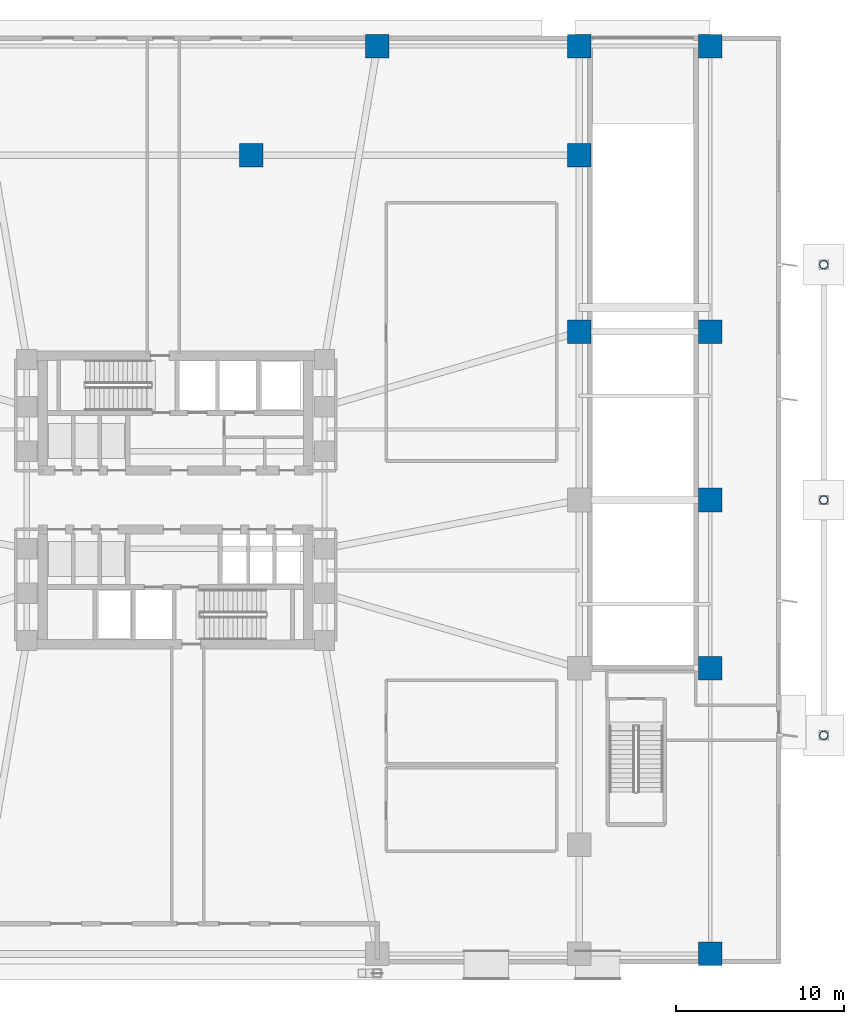
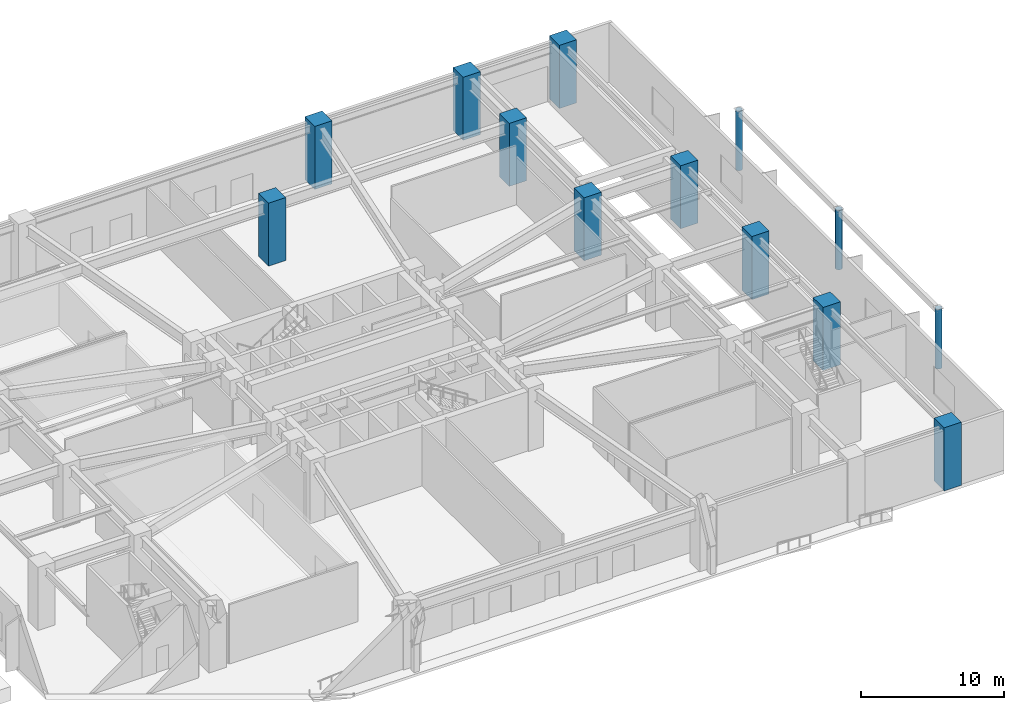
# One storey, part 5 of 20: 13 columns.
"""IFC4 building model written with IfcOpenShell, lengths in metres."""

from ifc_helpers import new_model, si_unit, direction, frame, origin, origin_2d, place, context, subcontext, project, spatial, rectangle, hollow_circle, extrude, material, material_profile, profile_set, type_object, element, save


model = new_model("IFC4")

# Units and contexts
model_context = context("Model", 3, precision=1e-05, world=origin(), true_north=direction((0.0, 1.0)))
body_context = subcontext(model_context, "Body", "Model", "MODEL_VIEW")
ifc_project = project(units=[si_unit("LENGTHUNIT", "METRE"), si_unit("AREAUNIT", "SQUARE_METRE"), si_unit("VOLUMEUNIT", "CUBIC_METRE"), si_unit("PLANEANGLEUNIT", "RADIAN"), si_unit("MASSUNIT", "GRAM", prefix="KILO")], contexts=[model_context])

# Site, building, storey
site_placement = place(None, origin())
site = spatial("IfcSite", under=ifc_project, at=site_placement, CompositionType="ELEMENT")
building_placement = place(site_placement, origin())
building = spatial("IfcBuilding", under=site, at=building_placement, Name="Solmarez Civic Tower", CompositionType="ELEMENT")
storey_placement = place(building_placement, origin())
storey = spatial("IfcBuildingStorey", under=building, at=storey_placement, Name="L00", CompositionType="ELEMENT", Elevation=0.0)

# Columns
ifc_material_1 = material(Name="Steel S355", Category="steel")
ifc_material_profile_1 = material_profile(ifc_material_1, hollow_circle(Radius=0.25390625, WallThickness=0.02001953125, at=origin_2d()), Name="CHS508X20")
ifc_profile_set_1 = profile_set([ifc_material_profile_1], Name="Steel S355")
column_type_1 = type_object("IfcColumnType", Name="COL-CHS508", PredefinedType="COLUMN", material=ifc_profile_set_1)
for number, where, z_axis, x_axis, name in (
    (1, (38.550048828125, -14.0, -0.300048828125), (0.0, 0.0, 1.0), (1.0, 0.0, 0.0), "L00 Plaza Canopy Column PF-E1"),
    (2, (38.550048828125, 0.0, -0.300048828125), (0.0, 0.0, 1.0), (1.0, 0.0, 0.0), "L00 Plaza Canopy Column PF-E2"),
    (3, (38.550048828125, 14.0, -0.300048828125), (0.0, 0.0, 1.0), (1.0, 0.0, 0.0), "L00 Plaza Canopy Column PF-E3"),
):
    element("IfcColumn", number, at=place(storey_placement, frame(where, z_axis=z_axis, x_axis=x_axis)), inside=storey, type_object=column_type_1, Name=name, PredefinedType="COLUMN", context=body_context, shape_type="SweptSolid", body=[
        extrude(hollow_circle(Radius=0.25390625, WallThickness=0.02001953125, at=origin_2d()), origin(), (0.0, 0.0, 1.0), 5.10009765625),
    ])
ifc_material_2 = material(Name="Concrete C60/75", Category="concrete")
ifc_material_profile_2 = material_profile(ifc_material_2, rectangle(XDim=1.39990234375, YDim=1.39990234375, at=origin_2d()), Name="RC1400X1400")
ifc_profile_set_2 = profile_set([ifc_material_profile_2], Name="Concrete C60/75")
column_type_2 = type_object("IfcColumnType", Name="COL-RC1400", PredefinedType="COLUMN", material=ifc_profile_set_2)
for number, where, z_axis, x_axis, name in (
    (4, (31.800048828125, -27.0, 0.0), (0.0, 0.0, 1.0), (1.0, 0.0, 0.0), "L00 Structural Column PC06"),
    (5, (12.0, 27.0, 0.0), (0.0, 0.0, 1.0), (1.0, 0.0, 0.0), "L00 Structural Column PC10"),
    (6, (24.0, 27.0, 0.0), (0.0, 0.0, 1.0), (1.0, 0.0, 0.0), "L00 Structural Column PC11"),
    (7, (31.800048828125, 27.0, 0.0), (0.0, 0.0, 1.0), (1.0, 0.0, 0.0), "L00 Structural Column PC12"),
    (8, (31.800048828125, -10.0, 0.0), (0.0, 0.0, 1.0), (1.0, 0.0, 0.0), "L00 Structural Column PC16"),
    (9, (31.800048828125, 0.0, 0.0), (0.0, 0.0, 1.0), (1.0, 0.0, 0.0), "L00 Structural Column PC17"),
    (10, (31.800048828125, 10.0, 0.0), (0.0, 0.0, 1.0), (1.0, 0.0, 0.0), "L00 Structural Column PC18"),
    (11, (24.0, 10.0, 0.0), (0.0, 0.0, 1.0), (1.0, 0.0, 0.0), "L00 Structural Column PC24"),
    (12, (4.5, 20.5, 0.0), (0.0, 0.0, 1.0), (1.0, 0.0, 0.0), "L00 Structural Column PC25"),
    (13, (24.0, 20.5, 0.0), (0.0, 0.0, 1.0), (1.0, 0.0, 0.0), "L00 Structural Column PC30"),
):
    element("IfcColumn", number, at=place(storey_placement, frame(where, z_axis=z_axis, x_axis=x_axis)), inside=storey, type_object=column_type_2, Name=name, PredefinedType="COLUMN", context=body_context, shape_type="SweptSolid", body=[
        extrude(rectangle(XDim=1.39990234375, YDim=1.39990234375, at=origin_2d()), origin(), (0.0, 0.0, 1.0), 5.39990234375),
    ])

save(model, "model.ifc")
